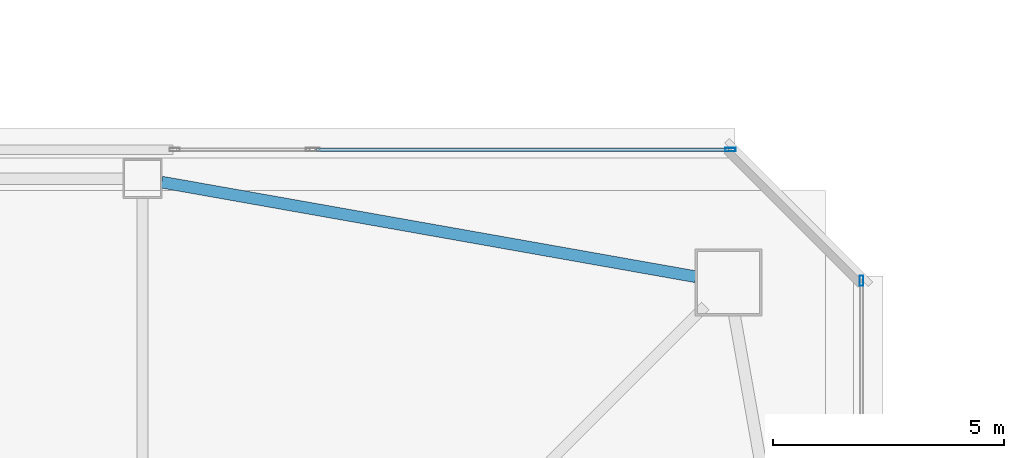
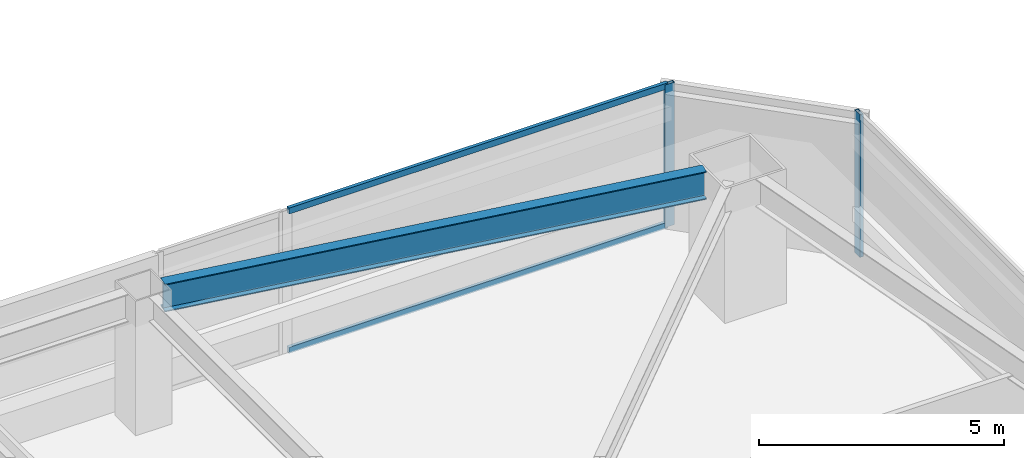
# One storey, part 15 of 44: 4 members, 1 beam, 2 elements without a shape of their own.
"""IFC4 building model written with IfcOpenShell, lengths in metres."""

from ifc_helpers import new_model, si_unit, direction, frame, origin, origin_2d, place, context, subcontext, project, spatial, hollow_rectangle, i_section, extrude, material, material_profile, profile_set, type_object, element, aggregate, save


model = new_model("IFC4")

# Units and contexts
model_context = context("Model", 3, precision=1e-05, world=origin(), true_north=direction((0.0, 1.0)))
body_context = subcontext(model_context, "Body", "Model", "MODEL_VIEW")
ifc_project = project(units=[si_unit("LENGTHUNIT", "METRE"), si_unit("AREAUNIT", "SQUARE_METRE"), si_unit("VOLUMEUNIT", "CUBIC_METRE"), si_unit("PLANEANGLEUNIT", "RADIAN"), si_unit("MASSUNIT", "GRAM", prefix="KILO")], contexts=[model_context])

# Site, building, storey
site_placement = place(None, origin())
site = spatial("IfcSite", under=ifc_project, at=site_placement, CompositionType="ELEMENT")
building_placement = place(site_placement, origin())
building = spatial("IfcBuilding", under=site, at=building_placement, Name="Tashvorn Skyway Center", CompositionType="ELEMENT")
storey_placement = place(building_placement, frame((0.0, 0.0, 102.699951171875)))
storey = spatial("IfcBuildingStorey", under=building, at=storey_placement, Name="L27", CompositionType="ELEMENT", Elevation=102.699951171875)

# Beam
ifc_material_1 = material(Name="Steel ASTM A992 Grade 50", Category="steel")
ifc_material_profile_1 = material_profile(ifc_material_1, i_section(OverallWidth=0.256103515625, OverallDepth=0.693115234375, WebThickness=0.014404296875, FlangeThickness=0.023681640625, at=origin_2d()), Name="W27X114")
ifc_profile_set_1 = profile_set([ifc_material_profile_1], Name="Steel ASTM A992 Grade 50")
beam_type = type_object("IfcBeamType", Name="BM-SPANDREL-W27X114", PredefinedType="SPANDREL", material=ifc_profile_set_1)
beam_placement = place(storey_placement, frame((59.39111328125, 50.2255859375, 3.003662109375), z_axis=(-0.98466816531, 0.174437966698, 0.0), x_axis=(-0.174437966698, -0.98466816531, 0.0)))
element("IfcBeam", 1, at=beam_placement, inside=storey, type_object=beam_type, Name="Tower 1 L27 Spandrel Beam 07", PredefinedType="SPANDREL", context=body_context, shape_type="SweptSolid", body=[
    extrude(i_section(OverallWidth=0.256103515625, OverallDepth=0.693115234375, WebThickness=0.014404296875, FlangeThickness=0.023681640625, at=origin_2d()), origin(), (0.0, 0.0, 1.0), 11.7578125),
])

# Curtain wall, member
ifc_material_2 = material(Name="Thermally broken bronze-anodized aluminium 6063-T6", Category="aluminium")
curtain_wall_type = type_object("IfcCurtainWallType", Name="CW-CW-Z2", PredefinedType="NOTDEFINED", material=ifc_material_2)
curtain_wall_1_placement = place(storey_placement, origin())
curtain_wall_1 = element("IfcCurtainWall", 2, at=curtain_wall_1_placement, inside=storey, type_object=curtain_wall_type, Name="Tower 1 L27 North Unitised Curtain Wall Glazing Group 4", PredefinedType="NOTDEFINED")
ifc_material_profile_2 = material_profile(ifc_material_2, hollow_rectangle(XDim=0.080078125, YDim=0.219970703125, WallThickness=0.0048828125, at=origin_2d()), Name="ALU-MULL-80x220")
ifc_profile_set_2 = profile_set([ifc_material_profile_2], Name="Thermally broken bronze-anodized aluminium 6063-T6")
member_type_1 = type_object("IfcMemberType", Name="CWM-CW-Z2", PredefinedType="MULLION", material=ifc_profile_set_2)
member_1_placement = place(storey_placement, frame((60.139892578125, 52.97998046875, 0.0), z_axis=(0.0, 0.0, 1.0), x_axis=(0.0, 1.0, 0.0)))
member_1 = element("IfcMember", 3, at=member_1_placement, type_object=member_type_1, Name="CW-Z2 mullion 2", PredefinedType="MULLION", context=body_context, shape_type="SweptSolid", body=[
    extrude(hollow_rectangle(XDim=0.080078125, YDim=0.219970703125, WallThickness=0.0048828125, at=origin_2d()), origin(), (0.0, 0.0, 1.0), 3.550048828125),
])

curtain_wall_2_placement = place(storey_placement, origin())
curtain_wall_2 = element("IfcCurtainWall", 4, at=curtain_wall_2_placement, inside=storey, type_object=curtain_wall_type, Name="Tower 1 L27 East Curtain Wall L", PredefinedType="NOTDEFINED")
member_2_placement = place(storey_placement, frame((62.97998046875, 50.139892578125, 0.0), z_axis=(0.0, 0.0, 1.0), x_axis=(1.0, 0.0, 0.0)))
member_2 = element("IfcMember", 5, at=member_2_placement, type_object=member_type_1, Name="CW-Z2 mullion 1", PredefinedType="MULLION", context=body_context, shape_type="SweptSolid", body=[
    extrude(hollow_rectangle(XDim=0.080078125, YDim=0.219970703125, WallThickness=0.0048828125, at=origin_2d()), origin(), (0.0, 0.0, 1.0), 3.550048828125),
])
aggregate(curtain_wall_2, [member_2])

# Member
ifc_material_profile_3 = material_profile(ifc_material_2, hollow_rectangle(XDim=0.080078125, YDim=0.14990234375, WallThickness=0.00439453125, at=origin_2d()), Name="ALU-TRAN-80x150")
ifc_profile_set_3 = profile_set([ifc_material_profile_3], Name="Thermally broken bronze-anodized aluminium 6063-T6")
member_type_2 = type_object("IfcMemberType", Name="CWT-CW-Z2", PredefinedType="USERDEFINED", material=ifc_profile_set_3)
member_3_placement = place(storey_placement, frame((51.169921875, 52.97998046875, 0.0400390625), z_axis=(1.0, 0.0, 0.0), x_axis=(0.0, 1.0, 0.0)))
member_3 = element("IfcMember", 6, at=member_3_placement, type_object=member_type_2, Name="CW-Z2 transom 1.1", ObjectType="TRANSOM", PredefinedType="USERDEFINED", context=body_context, shape_type="SweptSolid", body=[
    extrude(hollow_rectangle(XDim=0.080078125, YDim=0.14990234375, WallThickness=0.00439453125, at=origin_2d()), origin(), (0.0, 0.0, 1.0), 8.93017578125),
])

member_4_placement = place(storey_placement, frame((51.169921875, 52.97998046875, 3.510009765625), z_axis=(1.0, 0.0, 0.0), x_axis=(0.0, 1.0, 0.0)))
member_4 = element("IfcMember", 7, at=member_4_placement, type_object=member_type_2, Name="CW-Z2 transom 1.2", ObjectType="TRANSOM", PredefinedType="USERDEFINED", context=body_context, shape_type="SweptSolid", body=[
    extrude(hollow_rectangle(XDim=0.080078125, YDim=0.14990234375, WallThickness=0.00439453125, at=origin_2d()), origin(), (0.0, 0.0, 1.0), 8.93017578125),
])

aggregate(curtain_wall_1, [member_1, member_3, member_4])

save(model, "model.ifc")
